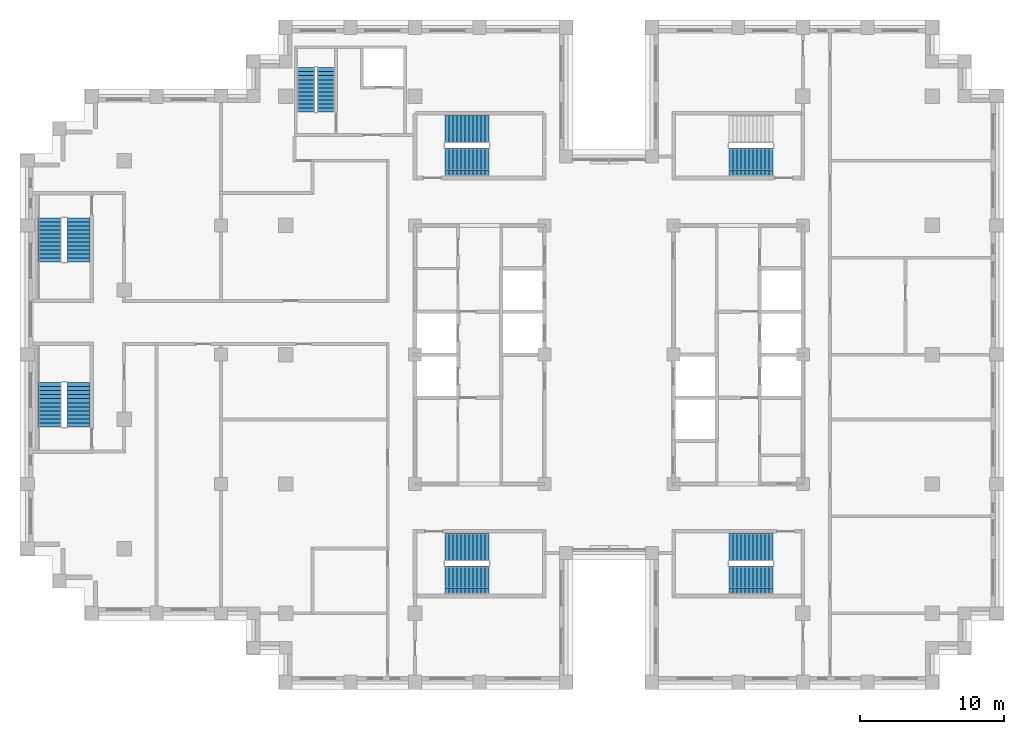
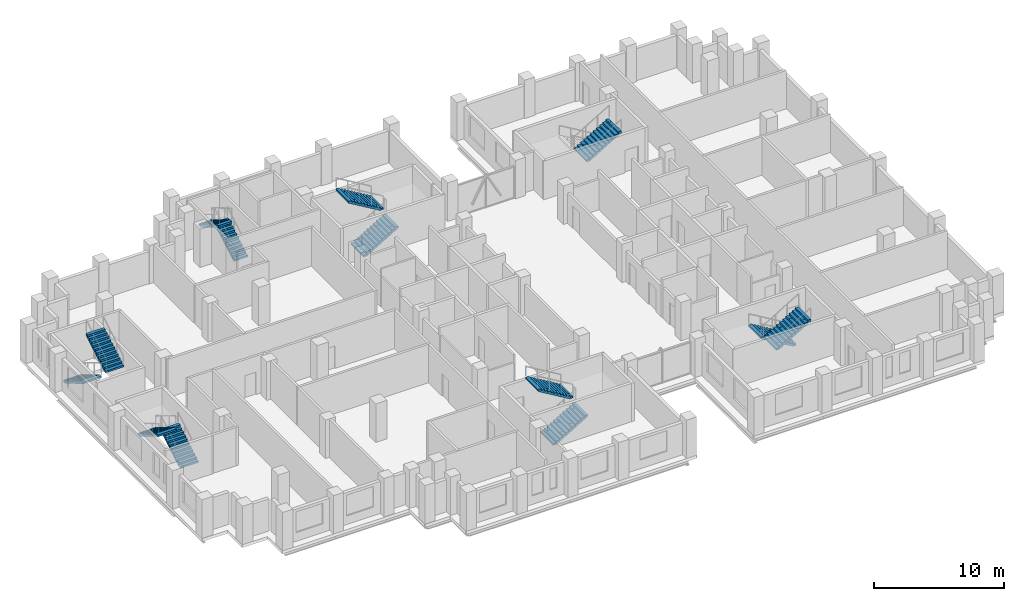
# One storey, part 12 of 15: 13 stair flights, 7 elements without a shape of their own.
"""IFC4 building model written with IfcOpenShell, lengths in metres."""

from ifc_helpers import new_model, si_unit, direction, frame, origin, place, context, subcontext, project, spatial, polyline, outline, extrude, material, type_object, element, aggregate, save


model = new_model("IFC4")

# Units and contexts
model_context = context("Model", 3, precision=1e-05, world=origin(), true_north=direction((0.0, 1.0)))
body_context = subcontext(model_context, "Body", "Model", "MODEL_VIEW")
ifc_project = project(units=[si_unit("LENGTHUNIT", "METRE"), si_unit("AREAUNIT", "SQUARE_METRE"), si_unit("VOLUMEUNIT", "CUBIC_METRE"), si_unit("PLANEANGLEUNIT", "RADIAN"), si_unit("MASSUNIT", "GRAM", prefix="KILO")], contexts=[model_context])

# Site, building, storey
site_placement = place(None, origin())
site = spatial("IfcSite", under=ifc_project, at=site_placement, CompositionType="ELEMENT")
building_placement = place(site_placement, origin())
building = spatial("IfcBuilding", under=site, at=building_placement, Name="Corbelhall Arena Tower", CompositionType="ELEMENT")
storey_placement = place(building_placement, frame((0.0, 0.0, 232.0)))
storey = spatial("IfcBuildingStorey", under=building, at=storey_placement, Name="L49", CompositionType="ELEMENT", Elevation=232.0)

# Stair, stair flights
ifc_material = material(Name="Concrete C40/50", Category="concrete")
stair_type = type_object("IfcStairType", Name="IN-ST-TOWER", PredefinedType="HALF_TURN_STAIR", material=ifc_material)
stair_1_placement = place(storey_placement, origin())
stair_1 = element("IfcStair", 1, at=stair_1_placement, inside=storey, type_object=stair_type, Name="L49 Exit stair ST1", PredefinedType="HALF_TURN_STAIR")
stair_flight_type = type_object("IfcStairFlightType", Name="IN-SFL-RC", PredefinedType="STRAIGHT", material=ifc_material)
stair_flight_1_placement = place(storey_placement, frame((-11.425048828125, 13.39990234375, 0.0), z_axis=(0.0, 0.0, 1.0), x_axis=(1.0, 0.0, 0.0)))
stair_flight_1 = element("IfcStairFlight", 2, at=stair_flight_1_placement, type_object=stair_flight_type, Name="ST1 flight 1", NumberOfRisers=12, NumberOfTreads=11, PredefinedType="STRAIGHT", RiserHeight=0.166666667, TreadLength=0.28, context=body_context, shape_type="SweptSolid", body=[
    extrude(outline(polyline([(0.0, 0.0), (0.0, 0.166748046875), (0.280029296875, 0.166748046875), (0.280029296875, 0.333251953125), (0.56005859375, 0.333251953125), (0.56005859375, 0.5), (0.840087890625, 0.5), (0.840087890625, 0.666748046875), (1.1201171875, 0.666748046875), (1.1201171875, 0.833251953125), (1.39990234375, 0.833251953125), (1.39990234375, 1.0), (1.679931640625, 1.0), (1.679931640625, 1.166748046875), (1.9599609375, 1.166748046875), (1.9599609375, 1.333251953125), (2.239990234375, 1.333251953125), (2.239990234375, 1.5), (2.52001953125, 1.5), (2.52001953125, 1.666748046875), (2.800048828125, 1.666748046875), (2.800048828125, 1.833251953125), (3.080078125, 1.833251953125), (3.080078125, 2.0), (3.080078125, 1.658935546875), (0.29296875, 0.0), (0.0, 0.0)])), frame((0.0, 0.97509765625, 0.0), z_axis=(0.0, -1.0, 0.0), x_axis=(1.0, 0.0, 0.0)), (0.0, 0.0, 1.0), 0.449951171875),
    extrude(outline(polyline([(0.0, 0.0), (0.0, 0.166748046875), (0.280029296875, 0.166748046875), (0.280029296875, 0.333251953125), (0.56005859375, 0.333251953125), (0.56005859375, 0.5), (0.840087890625, 0.5), (0.840087890625, 0.666748046875), (1.1201171875, 0.666748046875), (1.1201171875, 0.833251953125), (1.39990234375, 0.833251953125), (1.39990234375, 1.0), (1.679931640625, 1.0), (1.679931640625, 1.166748046875), (1.9599609375, 1.166748046875), (1.9599609375, 1.333251953125), (2.239990234375, 1.333251953125), (2.239990234375, 1.5), (2.52001953125, 1.5), (2.52001953125, 1.666748046875), (2.800048828125, 1.666748046875), (2.800048828125, 1.833251953125), (3.080078125, 1.833251953125), (3.080078125, 2.0), (3.080078125, 1.658935546875), (0.29296875, 0.0), (0.0, 0.0)])), frame((0.0, 0.52099609375, 0.0), z_axis=(0.0, -1.0, 0.0), x_axis=(1.0, 0.0, 0.0)), (0.0, 0.0, 1.0), 1.0419921875),
    extrude(outline(polyline([(0.0, 0.0), (0.0, 0.166748046875), (0.280029296875, 0.166748046875), (0.280029296875, 0.333251953125), (0.56005859375, 0.333251953125), (0.56005859375, 0.5), (0.840087890625, 0.5), (0.840087890625, 0.666748046875), (1.1201171875, 0.666748046875), (1.1201171875, 0.833251953125), (1.39990234375, 0.833251953125), (1.39990234375, 1.0), (1.679931640625, 1.0), (1.679931640625, 1.166748046875), (1.9599609375, 1.166748046875), (1.9599609375, 1.333251953125), (2.239990234375, 1.333251953125), (2.239990234375, 1.5), (2.52001953125, 1.5), (2.52001953125, 1.666748046875), (2.800048828125, 1.666748046875), (2.800048828125, 1.833251953125), (3.080078125, 1.833251953125), (3.080078125, 2.0), (3.080078125, 1.658935546875), (0.29296875, 0.0), (0.0, 0.0)])), frame((0.0, -0.52490234375, 0.0), z_axis=(0.0, -1.0, 0.0), x_axis=(1.0, 0.0, 0.0)), (0.0, 0.0, 1.0), 0.449951171875),
])
stair_flight_2_placement = place(storey_placement, frame((-8.344970703125, 15.699951171875, 2.0), z_axis=(0.0, 0.0, 1.0), x_axis=(-1.0, 0.0, 0.0)))
stair_flight_2 = element("IfcStairFlight", 3, at=stair_flight_2_placement, type_object=stair_flight_type, Name="ST1 flight 2", NumberOfRisers=12, NumberOfTreads=11, PredefinedType="STRAIGHT", RiserHeight=0.166666667, TreadLength=0.28, context=body_context, shape_type="SweptSolid", body=[
    extrude(outline(polyline([(0.0, 0.0), (0.0, 0.166748046875), (0.280029296875, 0.166748046875), (0.280029296875, 0.333251953125), (0.56005859375, 0.333251953125), (0.56005859375, 0.5), (0.840087890625, 0.5), (0.840087890625, 0.666748046875), (1.1201171875, 0.666748046875), (1.1201171875, 0.833251953125), (1.39990234375, 0.833251953125), (1.39990234375, 1.0), (1.679931640625, 1.0), (1.679931640625, 1.166748046875), (1.9599609375, 1.166748046875), (1.9599609375, 1.333251953125), (2.239990234375, 1.333251953125), (2.239990234375, 1.5), (2.52001953125, 1.5), (2.52001953125, 1.666748046875), (2.800048828125, 1.666748046875), (2.800048828125, 1.833251953125), (3.080078125, 1.833251953125), (3.080078125, 2.0), (3.080078125, 1.658935546875), (0.29296875, 0.0), (0.0, 0.0)])), frame((0.0, 0.97509765625, 0.0), z_axis=(0.0, -1.0, 0.0), x_axis=(1.0, 0.0, 0.0)), (0.0, 0.0, 1.0), 0.449951171875),
    extrude(outline(polyline([(0.0, 0.0), (0.0, 0.166748046875), (0.280029296875, 0.166748046875), (0.280029296875, 0.333251953125), (0.56005859375, 0.333251953125), (0.56005859375, 0.5), (0.840087890625, 0.5), (0.840087890625, 0.666748046875), (1.1201171875, 0.666748046875), (1.1201171875, 0.833251953125), (1.39990234375, 0.833251953125), (1.39990234375, 1.0), (1.679931640625, 1.0), (1.679931640625, 1.166748046875), (1.9599609375, 1.166748046875), (1.9599609375, 1.333251953125), (2.239990234375, 1.333251953125), (2.239990234375, 1.5), (2.52001953125, 1.5), (2.52001953125, 1.666748046875), (2.800048828125, 1.666748046875), (2.800048828125, 1.833251953125), (3.080078125, 1.833251953125), (3.080078125, 2.0), (3.080078125, 1.658935546875), (0.29296875, 0.0), (0.0, 0.0)])), frame((0.0, 0.52099609375, 0.0), z_axis=(0.0, -1.0, 0.0), x_axis=(1.0, 0.0, 0.0)), (0.0, 0.0, 1.0), 1.0419921875),
    extrude(outline(polyline([(0.0, 0.0), (0.0, 0.166748046875), (0.280029296875, 0.166748046875), (0.280029296875, 0.333251953125), (0.56005859375, 0.333251953125), (0.56005859375, 0.5), (0.840087890625, 0.5), (0.840087890625, 0.666748046875), (1.1201171875, 0.666748046875), (1.1201171875, 0.833251953125), (1.39990234375, 0.833251953125), (1.39990234375, 1.0), (1.679931640625, 1.0), (1.679931640625, 1.166748046875), (1.9599609375, 1.166748046875), (1.9599609375, 1.333251953125), (2.239990234375, 1.333251953125), (2.239990234375, 1.5), (2.52001953125, 1.5), (2.52001953125, 1.666748046875), (2.800048828125, 1.666748046875), (2.800048828125, 1.833251953125), (3.080078125, 1.833251953125), (3.080078125, 2.0), (3.080078125, 1.658935546875), (0.29296875, 0.0), (0.0, 0.0)])), frame((0.0, -0.52490234375, 0.0), z_axis=(0.0, -1.0, 0.0), x_axis=(1.0, 0.0, 0.0)), (0.0, 0.0, 1.0), 0.449951171875),
])
aggregate(stair_1, [stair_flight_1, stair_flight_2])

stair_2_placement = place(storey_placement, origin())
stair_2 = element("IfcStair", 4, at=stair_2_placement, inside=storey, type_object=stair_type, Name="L49 Exit stair ST2", PredefinedType="HALF_TURN_STAIR")
stair_flight_3_placement = place(storey_placement, frame((-11.425048828125, -15.699951171875, 0.0), z_axis=(0.0, 0.0, 1.0), x_axis=(1.0, 0.0, 0.0)))
stair_flight_3 = element("IfcStairFlight", 5, at=stair_flight_3_placement, type_object=stair_flight_type, Name="ST2 flight 1", NumberOfRisers=12, NumberOfTreads=11, PredefinedType="STRAIGHT", RiserHeight=0.166666667, TreadLength=0.28, context=body_context, shape_type="SweptSolid", body=[
    extrude(outline(polyline([(0.0, 0.0), (0.0, 0.166748046875), (0.280029296875, 0.166748046875), (0.280029296875, 0.333251953125), (0.56005859375, 0.333251953125), (0.56005859375, 0.5), (0.840087890625, 0.5), (0.840087890625, 0.666748046875), (1.1201171875, 0.666748046875), (1.1201171875, 0.833251953125), (1.39990234375, 0.833251953125), (1.39990234375, 1.0), (1.679931640625, 1.0), (1.679931640625, 1.166748046875), (1.9599609375, 1.166748046875), (1.9599609375, 1.333251953125), (2.239990234375, 1.333251953125), (2.239990234375, 1.5), (2.52001953125, 1.5), (2.52001953125, 1.666748046875), (2.800048828125, 1.666748046875), (2.800048828125, 1.833251953125), (3.080078125, 1.833251953125), (3.080078125, 2.0), (3.080078125, 1.658935546875), (0.29296875, 0.0), (0.0, 0.0)])), frame((0.0, 0.97509765625, 0.0), z_axis=(0.0, -1.0, 0.0), x_axis=(1.0, 0.0, 0.0)), (0.0, 0.0, 1.0), 0.449951171875),
    extrude(outline(polyline([(0.0, 0.0), (0.0, 0.166748046875), (0.280029296875, 0.166748046875), (0.280029296875, 0.333251953125), (0.56005859375, 0.333251953125), (0.56005859375, 0.5), (0.840087890625, 0.5), (0.840087890625, 0.666748046875), (1.1201171875, 0.666748046875), (1.1201171875, 0.833251953125), (1.39990234375, 0.833251953125), (1.39990234375, 1.0), (1.679931640625, 1.0), (1.679931640625, 1.166748046875), (1.9599609375, 1.166748046875), (1.9599609375, 1.333251953125), (2.239990234375, 1.333251953125), (2.239990234375, 1.5), (2.52001953125, 1.5), (2.52001953125, 1.666748046875), (2.800048828125, 1.666748046875), (2.800048828125, 1.833251953125), (3.080078125, 1.833251953125), (3.080078125, 2.0), (3.080078125, 1.658935546875), (0.29296875, 0.0), (0.0, 0.0)])), frame((0.0, 0.52099609375, 0.0), z_axis=(0.0, -1.0, 0.0), x_axis=(1.0, 0.0, 0.0)), (0.0, 0.0, 1.0), 1.0419921875),
    extrude(outline(polyline([(0.0, 0.0), (0.0, 0.166748046875), (0.280029296875, 0.166748046875), (0.280029296875, 0.333251953125), (0.56005859375, 0.333251953125), (0.56005859375, 0.5), (0.840087890625, 0.5), (0.840087890625, 0.666748046875), (1.1201171875, 0.666748046875), (1.1201171875, 0.833251953125), (1.39990234375, 0.833251953125), (1.39990234375, 1.0), (1.679931640625, 1.0), (1.679931640625, 1.166748046875), (1.9599609375, 1.166748046875), (1.9599609375, 1.333251953125), (2.239990234375, 1.333251953125), (2.239990234375, 1.5), (2.52001953125, 1.5), (2.52001953125, 1.666748046875), (2.800048828125, 1.666748046875), (2.800048828125, 1.833251953125), (3.080078125, 1.833251953125), (3.080078125, 2.0), (3.080078125, 1.658935546875), (0.29296875, 0.0), (0.0, 0.0)])), frame((0.0, -0.52490234375, 0.0), z_axis=(0.0, -1.0, 0.0), x_axis=(1.0, 0.0, 0.0)), (0.0, 0.0, 1.0), 0.449951171875),
])
stair_flight_4_placement = place(storey_placement, frame((-8.344970703125, -13.39990234375, 2.0), z_axis=(0.0, 0.0, 1.0), x_axis=(-1.0, 0.0, 0.0)))
stair_flight_4 = element("IfcStairFlight", 6, at=stair_flight_4_placement, type_object=stair_flight_type, Name="ST2 flight 2", NumberOfRisers=12, NumberOfTreads=11, PredefinedType="STRAIGHT", RiserHeight=0.166666667, TreadLength=0.28, context=body_context, shape_type="SweptSolid", body=[
    extrude(outline(polyline([(0.0, 0.0), (0.0, 0.166748046875), (0.280029296875, 0.166748046875), (0.280029296875, 0.333251953125), (0.56005859375, 0.333251953125), (0.56005859375, 0.5), (0.840087890625, 0.5), (0.840087890625, 0.666748046875), (1.1201171875, 0.666748046875), (1.1201171875, 0.833251953125), (1.39990234375, 0.833251953125), (1.39990234375, 1.0), (1.679931640625, 1.0), (1.679931640625, 1.166748046875), (1.9599609375, 1.166748046875), (1.9599609375, 1.333251953125), (2.239990234375, 1.333251953125), (2.239990234375, 1.5), (2.52001953125, 1.5), (2.52001953125, 1.666748046875), (2.800048828125, 1.666748046875), (2.800048828125, 1.833251953125), (3.080078125, 1.833251953125), (3.080078125, 2.0), (3.080078125, 1.658935546875), (0.29296875, 0.0), (0.0, 0.0)])), frame((0.0, 0.97509765625, 0.0), z_axis=(0.0, -1.0, 0.0), x_axis=(1.0, 0.0, 0.0)), (0.0, 0.0, 1.0), 0.449951171875),
    extrude(outline(polyline([(0.0, 0.0), (0.0, 0.166748046875), (0.280029296875, 0.166748046875), (0.280029296875, 0.333251953125), (0.56005859375, 0.333251953125), (0.56005859375, 0.5), (0.840087890625, 0.5), (0.840087890625, 0.666748046875), (1.1201171875, 0.666748046875), (1.1201171875, 0.833251953125), (1.39990234375, 0.833251953125), (1.39990234375, 1.0), (1.679931640625, 1.0), (1.679931640625, 1.166748046875), (1.9599609375, 1.166748046875), (1.9599609375, 1.333251953125), (2.239990234375, 1.333251953125), (2.239990234375, 1.5), (2.52001953125, 1.5), (2.52001953125, 1.666748046875), (2.800048828125, 1.666748046875), (2.800048828125, 1.833251953125), (3.080078125, 1.833251953125), (3.080078125, 2.0), (3.080078125, 1.658935546875), (0.29296875, 0.0), (0.0, 0.0)])), frame((0.0, 0.52099609375, 0.0), z_axis=(0.0, -1.0, 0.0), x_axis=(1.0, 0.0, 0.0)), (0.0, 0.0, 1.0), 1.0419921875),
    extrude(outline(polyline([(0.0, 0.0), (0.0, 0.166748046875), (0.280029296875, 0.166748046875), (0.280029296875, 0.333251953125), (0.56005859375, 0.333251953125), (0.56005859375, 0.5), (0.840087890625, 0.5), (0.840087890625, 0.666748046875), (1.1201171875, 0.666748046875), (1.1201171875, 0.833251953125), (1.39990234375, 0.833251953125), (1.39990234375, 1.0), (1.679931640625, 1.0), (1.679931640625, 1.166748046875), (1.9599609375, 1.166748046875), (1.9599609375, 1.333251953125), (2.239990234375, 1.333251953125), (2.239990234375, 1.5), (2.52001953125, 1.5), (2.52001953125, 1.666748046875), (2.800048828125, 1.666748046875), (2.800048828125, 1.833251953125), (3.080078125, 1.833251953125), (3.080078125, 2.0), (3.080078125, 1.658935546875), (0.29296875, 0.0), (0.0, 0.0)])), frame((0.0, -0.52490234375, 0.0), z_axis=(0.0, -1.0, 0.0), x_axis=(1.0, 0.0, 0.0)), (0.0, 0.0, 1.0), 0.449951171875),
])
aggregate(stair_2, [stair_flight_3, stair_flight_4])

# Stair, stair flight
stair_3_placement = place(storey_placement, origin())
stair_3 = element("IfcStair", 7, at=stair_3_placement, inside=storey, type_object=stair_type, Name="L49 Exit stair ST3", PredefinedType="HALF_TURN_STAIR")
stair_flight_5_placement = place(storey_placement, frame((8.344970703125, 13.39990234375, 2.0), z_axis=(0.0, 0.0, 1.0), x_axis=(1.0, 0.0, 0.0)))
stair_flight_5 = element("IfcStairFlight", 8, at=stair_flight_5_placement, type_object=stair_flight_type, Name="ST3 flight 2", NumberOfRisers=12, NumberOfTreads=11, PredefinedType="STRAIGHT", RiserHeight=0.166666667, TreadLength=0.28, context=body_context, shape_type="SweptSolid", body=[
    extrude(outline(polyline([(0.0, 0.0), (0.0, 0.166748046875), (0.280029296875, 0.166748046875), (0.280029296875, 0.333251953125), (0.56005859375, 0.333251953125), (0.56005859375, 0.5), (0.840087890625, 0.5), (0.840087890625, 0.666748046875), (1.1201171875, 0.666748046875), (1.1201171875, 0.833251953125), (1.39990234375, 0.833251953125), (1.39990234375, 1.0), (1.679931640625, 1.0), (1.679931640625, 1.166748046875), (1.9599609375, 1.166748046875), (1.9599609375, 1.333251953125), (2.239990234375, 1.333251953125), (2.239990234375, 1.5), (2.52001953125, 1.5), (2.52001953125, 1.666748046875), (2.800048828125, 1.666748046875), (2.800048828125, 1.833251953125), (3.080078125, 1.833251953125), (3.080078125, 2.0), (3.080078125, 1.658935546875), (0.29296875, 0.0), (0.0, 0.0)])), frame((0.0, 0.97509765625, 0.0), z_axis=(0.0, -1.0, 0.0), x_axis=(1.0, 0.0, 0.0)), (0.0, 0.0, 1.0), 0.449951171875),
    extrude(outline(polyline([(0.0, 0.0), (0.0, 0.166748046875), (0.280029296875, 0.166748046875), (0.280029296875, 0.333251953125), (0.56005859375, 0.333251953125), (0.56005859375, 0.5), (0.840087890625, 0.5), (0.840087890625, 0.666748046875), (1.1201171875, 0.666748046875), (1.1201171875, 0.833251953125), (1.39990234375, 0.833251953125), (1.39990234375, 1.0), (1.679931640625, 1.0), (1.679931640625, 1.166748046875), (1.9599609375, 1.166748046875), (1.9599609375, 1.333251953125), (2.239990234375, 1.333251953125), (2.239990234375, 1.5), (2.52001953125, 1.5), (2.52001953125, 1.666748046875), (2.800048828125, 1.666748046875), (2.800048828125, 1.833251953125), (3.080078125, 1.833251953125), (3.080078125, 2.0), (3.080078125, 1.658935546875), (0.29296875, 0.0), (0.0, 0.0)])), frame((0.0, 0.52099609375, 0.0), z_axis=(0.0, -1.0, 0.0), x_axis=(1.0, 0.0, 0.0)), (0.0, 0.0, 1.0), 1.0419921875),
    extrude(outline(polyline([(0.0, 0.0), (0.0, 0.166748046875), (0.280029296875, 0.166748046875), (0.280029296875, 0.333251953125), (0.56005859375, 0.333251953125), (0.56005859375, 0.5), (0.840087890625, 0.5), (0.840087890625, 0.666748046875), (1.1201171875, 0.666748046875), (1.1201171875, 0.833251953125), (1.39990234375, 0.833251953125), (1.39990234375, 1.0), (1.679931640625, 1.0), (1.679931640625, 1.166748046875), (1.9599609375, 1.166748046875), (1.9599609375, 1.333251953125), (2.239990234375, 1.333251953125), (2.239990234375, 1.5), (2.52001953125, 1.5), (2.52001953125, 1.666748046875), (2.800048828125, 1.666748046875), (2.800048828125, 1.833251953125), (3.080078125, 1.833251953125), (3.080078125, 2.0), (3.080078125, 1.658935546875), (0.29296875, 0.0), (0.0, 0.0)])), frame((0.0, -0.52490234375, 0.0), z_axis=(0.0, -1.0, 0.0), x_axis=(1.0, 0.0, 0.0)), (0.0, 0.0, 1.0), 0.449951171875),
])
aggregate(stair_3, [stair_flight_5])

# Stair, stair flights
stair_4_placement = place(storey_placement, origin())
stair_4 = element("IfcStair", 9, at=stair_4_placement, inside=storey, type_object=stair_type, Name="L49 Exit stair ST4", PredefinedType="HALF_TURN_STAIR")
stair_flight_6_placement = place(storey_placement, frame((11.425048828125, -13.39990234375, 0.0), z_axis=(0.0, 0.0, 1.0), x_axis=(-1.0, 0.0, 0.0)))
stair_flight_6 = element("IfcStairFlight", 10, at=stair_flight_6_placement, type_object=stair_flight_type, Name="ST4 flight 1", NumberOfRisers=12, NumberOfTreads=11, PredefinedType="STRAIGHT", RiserHeight=0.166666667, TreadLength=0.28, context=body_context, shape_type="SweptSolid", body=[
    extrude(outline(polyline([(0.0, 0.0), (0.0, 0.166748046875), (0.280029296875, 0.166748046875), (0.280029296875, 0.333251953125), (0.56005859375, 0.333251953125), (0.56005859375, 0.5), (0.840087890625, 0.5), (0.840087890625, 0.666748046875), (1.1201171875, 0.666748046875), (1.1201171875, 0.833251953125), (1.39990234375, 0.833251953125), (1.39990234375, 1.0), (1.679931640625, 1.0), (1.679931640625, 1.166748046875), (1.9599609375, 1.166748046875), (1.9599609375, 1.333251953125), (2.239990234375, 1.333251953125), (2.239990234375, 1.5), (2.52001953125, 1.5), (2.52001953125, 1.666748046875), (2.800048828125, 1.666748046875), (2.800048828125, 1.833251953125), (3.080078125, 1.833251953125), (3.080078125, 2.0), (3.080078125, 1.658935546875), (0.29296875, 0.0), (0.0, 0.0)])), frame((0.0, 0.97509765625, 0.0), z_axis=(0.0, -1.0, 0.0), x_axis=(1.0, 0.0, 0.0)), (0.0, 0.0, 1.0), 0.449951171875),
    extrude(outline(polyline([(0.0, 0.0), (0.0, 0.166748046875), (0.280029296875, 0.166748046875), (0.280029296875, 0.333251953125), (0.56005859375, 0.333251953125), (0.56005859375, 0.5), (0.840087890625, 0.5), (0.840087890625, 0.666748046875), (1.1201171875, 0.666748046875), (1.1201171875, 0.833251953125), (1.39990234375, 0.833251953125), (1.39990234375, 1.0), (1.679931640625, 1.0), (1.679931640625, 1.166748046875), (1.9599609375, 1.166748046875), (1.9599609375, 1.333251953125), (2.239990234375, 1.333251953125), (2.239990234375, 1.5), (2.52001953125, 1.5), (2.52001953125, 1.666748046875), (2.800048828125, 1.666748046875), (2.800048828125, 1.833251953125), (3.080078125, 1.833251953125), (3.080078125, 2.0), (3.080078125, 1.658935546875), (0.29296875, 0.0), (0.0, 0.0)])), frame((0.0, 0.52099609375, 0.0), z_axis=(0.0, -1.0, 0.0), x_axis=(1.0, 0.0, 0.0)), (0.0, 0.0, 1.0), 1.0419921875),
    extrude(outline(polyline([(0.0, 0.0), (0.0, 0.166748046875), (0.280029296875, 0.166748046875), (0.280029296875, 0.333251953125), (0.56005859375, 0.333251953125), (0.56005859375, 0.5), (0.840087890625, 0.5), (0.840087890625, 0.666748046875), (1.1201171875, 0.666748046875), (1.1201171875, 0.833251953125), (1.39990234375, 0.833251953125), (1.39990234375, 1.0), (1.679931640625, 1.0), (1.679931640625, 1.166748046875), (1.9599609375, 1.166748046875), (1.9599609375, 1.333251953125), (2.239990234375, 1.333251953125), (2.239990234375, 1.5), (2.52001953125, 1.5), (2.52001953125, 1.666748046875), (2.800048828125, 1.666748046875), (2.800048828125, 1.833251953125), (3.080078125, 1.833251953125), (3.080078125, 2.0), (3.080078125, 1.658935546875), (0.29296875, 0.0), (0.0, 0.0)])), frame((0.0, -0.52490234375, 0.0), z_axis=(0.0, -1.0, 0.0), x_axis=(1.0, 0.0, 0.0)), (0.0, 0.0, 1.0), 0.449951171875),
])
stair_flight_7_placement = place(storey_placement, frame((8.344970703125, -15.699951171875, 2.0), z_axis=(0.0, 0.0, 1.0), x_axis=(1.0, 0.0, 0.0)))
stair_flight_7 = element("IfcStairFlight", 11, at=stair_flight_7_placement, type_object=stair_flight_type, Name="ST4 flight 2", NumberOfRisers=12, NumberOfTreads=11, PredefinedType="STRAIGHT", RiserHeight=0.166666667, TreadLength=0.28, context=body_context, shape_type="SweptSolid", body=[
    extrude(outline(polyline([(0.0, 0.0), (0.0, 0.166748046875), (0.280029296875, 0.166748046875), (0.280029296875, 0.333251953125), (0.56005859375, 0.333251953125), (0.56005859375, 0.5), (0.840087890625, 0.5), (0.840087890625, 0.666748046875), (1.1201171875, 0.666748046875), (1.1201171875, 0.833251953125), (1.39990234375, 0.833251953125), (1.39990234375, 1.0), (1.679931640625, 1.0), (1.679931640625, 1.166748046875), (1.9599609375, 1.166748046875), (1.9599609375, 1.333251953125), (2.239990234375, 1.333251953125), (2.239990234375, 1.5), (2.52001953125, 1.5), (2.52001953125, 1.666748046875), (2.800048828125, 1.666748046875), (2.800048828125, 1.833251953125), (3.080078125, 1.833251953125), (3.080078125, 2.0), (3.080078125, 1.658935546875), (0.29296875, 0.0), (0.0, 0.0)])), frame((0.0, 0.97509765625, 0.0), z_axis=(0.0, -1.0, 0.0), x_axis=(1.0, 0.0, 0.0)), (0.0, 0.0, 1.0), 0.449951171875),
    extrude(outline(polyline([(0.0, 0.0), (0.0, 0.166748046875), (0.280029296875, 0.166748046875), (0.280029296875, 0.333251953125), (0.56005859375, 0.333251953125), (0.56005859375, 0.5), (0.840087890625, 0.5), (0.840087890625, 0.666748046875), (1.1201171875, 0.666748046875), (1.1201171875, 0.833251953125), (1.39990234375, 0.833251953125), (1.39990234375, 1.0), (1.679931640625, 1.0), (1.679931640625, 1.166748046875), (1.9599609375, 1.166748046875), (1.9599609375, 1.333251953125), (2.239990234375, 1.333251953125), (2.239990234375, 1.5), (2.52001953125, 1.5), (2.52001953125, 1.666748046875), (2.800048828125, 1.666748046875), (2.800048828125, 1.833251953125), (3.080078125, 1.833251953125), (3.080078125, 2.0), (3.080078125, 1.658935546875), (0.29296875, 0.0), (0.0, 0.0)])), frame((0.0, 0.52099609375, 0.0), z_axis=(0.0, -1.0, 0.0), x_axis=(1.0, 0.0, 0.0)), (0.0, 0.0, 1.0), 1.0419921875),
    extrude(outline(polyline([(0.0, 0.0), (0.0, 0.166748046875), (0.280029296875, 0.166748046875), (0.280029296875, 0.333251953125), (0.56005859375, 0.333251953125), (0.56005859375, 0.5), (0.840087890625, 0.5), (0.840087890625, 0.666748046875), (1.1201171875, 0.666748046875), (1.1201171875, 0.833251953125), (1.39990234375, 0.833251953125), (1.39990234375, 1.0), (1.679931640625, 1.0), (1.679931640625, 1.166748046875), (1.9599609375, 1.166748046875), (1.9599609375, 1.333251953125), (2.239990234375, 1.333251953125), (2.239990234375, 1.5), (2.52001953125, 1.5), (2.52001953125, 1.666748046875), (2.800048828125, 1.666748046875), (2.800048828125, 1.833251953125), (3.080078125, 1.833251953125), (3.080078125, 2.0), (3.080078125, 1.658935546875), (0.29296875, 0.0), (0.0, 0.0)])), frame((0.0, -0.52490234375, 0.0), z_axis=(0.0, -1.0, 0.0), x_axis=(1.0, 0.0, 0.0)), (0.0, 0.0, 1.0), 0.449951171875),
])
aggregate(stair_4, [stair_flight_6, stair_flight_7])

stair_5_placement = place(storey_placement, origin())
stair_5 = element("IfcStair", 12, at=stair_5_placement, inside=storey, type_object=stair_type, Name="L49 Exit stair SC1", PredefinedType="HALF_TURN_STAIR")
stair_flight_8_placement = place(storey_placement, frame((-38.89990234375, 9.52490234375, 0.0), z_axis=(0.0, 0.0, 1.0), x_axis=(0.0, -1.0, 0.0)))
stair_flight_8 = element("IfcStairFlight", 13, at=stair_flight_8_placement, type_object=stair_flight_type, Name="SC1 flight 1", NumberOfRisers=12, NumberOfTreads=11, PredefinedType="STRAIGHT", RiserHeight=0.166666667, TreadLength=0.28, context=body_context, shape_type="SweptSolid", body=[
    extrude(outline(polyline([(0.0, 0.0), (0.0, 0.166748046875), (0.280029296875, 0.166748046875), (0.280029296875, 0.333251953125), (0.56005859375, 0.333251953125), (0.56005859375, 0.5), (0.840087890625, 0.5), (0.840087890625, 0.666748046875), (1.1201171875, 0.666748046875), (1.1201171875, 0.833251953125), (1.39990234375, 0.833251953125), (1.39990234375, 1.0), (1.679931640625, 1.0), (1.679931640625, 1.166748046875), (1.9599609375, 1.166748046875), (1.9599609375, 1.333251953125), (2.239990234375, 1.333251953125), (2.239990234375, 1.5), (2.52001953125, 1.5), (2.52001953125, 1.666748046875), (2.800048828125, 1.666748046875), (2.800048828125, 1.833251953125), (3.080078125, 1.833251953125), (3.080078125, 2.0), (3.080078125, 1.658935546875), (0.29296875, 0.0), (0.0, 0.0)])), frame((0.0, 0.800048828125, 0.0), z_axis=(0.0, -1.0, 0.0), x_axis=(1.0, 0.0, 0.0)), (0.0, 0.0, 1.0), 1.60009765625),
])
stair_flight_9_placement = place(storey_placement, frame((-36.925048828125, 6.445068359375, 2.0), z_axis=(0.0, 0.0, 1.0), x_axis=(0.0, 1.0, 0.0)))
stair_flight_9 = element("IfcStairFlight", 14, at=stair_flight_9_placement, type_object=stair_flight_type, Name="SC1 flight 2", NumberOfRisers=12, NumberOfTreads=11, PredefinedType="STRAIGHT", RiserHeight=0.166666667, TreadLength=0.28, context=body_context, shape_type="SweptSolid", body=[
    extrude(outline(polyline([(0.0, 0.0), (0.0, 0.166748046875), (0.280029296875, 0.166748046875), (0.280029296875, 0.333251953125), (0.56005859375, 0.333251953125), (0.56005859375, 0.5), (0.840087890625, 0.5), (0.840087890625, 0.666748046875), (1.1201171875, 0.666748046875), (1.1201171875, 0.833251953125), (1.39990234375, 0.833251953125), (1.39990234375, 1.0), (1.679931640625, 1.0), (1.679931640625, 1.166748046875), (1.9599609375, 1.166748046875), (1.9599609375, 1.333251953125), (2.239990234375, 1.333251953125), (2.239990234375, 1.5), (2.52001953125, 1.5), (2.52001953125, 1.666748046875), (2.800048828125, 1.666748046875), (2.800048828125, 1.833251953125), (3.080078125, 1.833251953125), (3.080078125, 2.0), (3.080078125, 1.658935546875), (0.29296875, 0.0), (0.0, 0.0)])), frame((0.0, 0.800048828125, 0.0), z_axis=(0.0, -1.0, 0.0), x_axis=(1.0, 0.0, 0.0)), (0.0, 0.0, 1.0), 1.60009765625),
])
aggregate(stair_5, [stair_flight_8, stair_flight_9])

stair_6_placement = place(storey_placement, origin())
stair_6 = element("IfcStair", 15, at=stair_6_placement, inside=storey, type_object=stair_type, Name="L49 Exit stair SC2", PredefinedType="HALF_TURN_STAIR")
stair_flight_10_placement = place(storey_placement, frame((-36.925048828125, -5.02490234375, 0.0), z_axis=(0.0, 0.0, 1.0), x_axis=(0.0, 1.0, 0.0)))
stair_flight_10 = element("IfcStairFlight", 16, at=stair_flight_10_placement, type_object=stair_flight_type, Name="SC2 flight 1", NumberOfRisers=12, NumberOfTreads=11, PredefinedType="STRAIGHT", RiserHeight=0.166666667, TreadLength=0.28, context=body_context, shape_type="SweptSolid", body=[
    extrude(outline(polyline([(0.0, 0.0), (0.0, 0.166748046875), (0.280029296875, 0.166748046875), (0.280029296875, 0.333251953125), (0.56005859375, 0.333251953125), (0.56005859375, 0.5), (0.840087890625, 0.5), (0.840087890625, 0.666748046875), (1.1201171875, 0.666748046875), (1.1201171875, 0.833251953125), (1.39990234375, 0.833251953125), (1.39990234375, 1.0), (1.679931640625, 1.0), (1.679931640625, 1.166748046875), (1.9599609375, 1.166748046875), (1.9599609375, 1.333251953125), (2.239990234375, 1.333251953125), (2.239990234375, 1.5), (2.52001953125, 1.5), (2.52001953125, 1.666748046875), (2.800048828125, 1.666748046875), (2.800048828125, 1.833251953125), (3.080078125, 1.833251953125), (3.080078125, 2.0), (3.080078125, 1.658935546875), (0.29296875, 0.0), (0.0, 0.0)])), frame((0.0, 0.800048828125, 0.0), z_axis=(0.0, -1.0, 0.0), x_axis=(1.0, 0.0, 0.0)), (0.0, 0.0, 1.0), 1.60009765625),
])
stair_flight_11_placement = place(storey_placement, frame((-38.89990234375, -1.945068359375, 2.0), z_axis=(0.0, 0.0, 1.0), x_axis=(0.0, -1.0, 0.0)))
stair_flight_11 = element("IfcStairFlight", 17, at=stair_flight_11_placement, type_object=stair_flight_type, Name="SC2 flight 2", NumberOfRisers=12, NumberOfTreads=11, PredefinedType="STRAIGHT", RiserHeight=0.166666667, TreadLength=0.28, context=body_context, shape_type="SweptSolid", body=[
    extrude(outline(polyline([(0.0, 0.0), (0.0, 0.166748046875), (0.280029296875, 0.166748046875), (0.280029296875, 0.333251953125), (0.56005859375, 0.333251953125), (0.56005859375, 0.5), (0.840087890625, 0.5), (0.840087890625, 0.666748046875), (1.1201171875, 0.666748046875), (1.1201171875, 0.833251953125), (1.39990234375, 0.833251953125), (1.39990234375, 1.0), (1.679931640625, 1.0), (1.679931640625, 1.166748046875), (1.9599609375, 1.166748046875), (1.9599609375, 1.333251953125), (2.239990234375, 1.333251953125), (2.239990234375, 1.5), (2.52001953125, 1.5), (2.52001953125, 1.666748046875), (2.800048828125, 1.666748046875), (2.800048828125, 1.833251953125), (3.080078125, 1.833251953125), (3.080078125, 2.0), (3.080078125, 1.658935546875), (0.29296875, 0.0), (0.0, 0.0)])), frame((0.0, 0.800048828125, 0.0), z_axis=(0.0, -1.0, 0.0), x_axis=(1.0, 0.0, 0.0)), (0.0, 0.0, 1.0), 1.60009765625),
])
aggregate(stair_6, [stair_flight_10, stair_flight_11])

stair_7_placement = place(storey_placement, origin())
stair_7 = element("IfcStair", 18, at=stair_7_placement, inside=storey, type_object=stair_type, Name="L49 Exit stair ST5", PredefinedType="HALF_TURN_STAIR")
stair_flight_12_placement = place(storey_placement, frame((-19.695068359375, 16.89990234375, 0.0), z_axis=(0.0, 0.0, 1.0), x_axis=(0.0, 1.0, 0.0)))
stair_flight_12 = element("IfcStairFlight", 19, at=stair_flight_12_placement, type_object=stair_flight_type, Name="ST5 flight 1", NumberOfRisers=12, NumberOfTreads=11, PredefinedType="STRAIGHT", RiserHeight=0.166666667, TreadLength=0.28, context=body_context, shape_type="SweptSolid", body=[
    extrude(outline(polyline([(0.0, 0.0), (0.0, 0.166748046875), (0.280029296875, 0.166748046875), (0.280029296875, 0.333251953125), (0.56005859375, 0.333251953125), (0.56005859375, 0.5), (0.840087890625, 0.5), (0.840087890625, 0.666748046875), (1.1201171875, 0.666748046875), (1.1201171875, 0.833251953125), (1.39990234375, 0.833251953125), (1.39990234375, 1.0), (1.679931640625, 1.0), (1.679931640625, 1.166748046875), (1.9599609375, 1.166748046875), (1.9599609375, 1.333251953125), (2.239990234375, 1.333251953125), (2.239990234375, 1.5), (2.52001953125, 1.5), (2.52001953125, 1.666748046875), (2.800048828125, 1.666748046875), (2.800048828125, 1.833251953125), (3.080078125, 1.833251953125), (3.080078125, 2.0), (3.080078125, 1.658935546875), (0.29296875, 0.0), (0.0, 0.0)])), frame((0.0, 0.60009765625, 0.0), z_axis=(0.0, -1.0, 0.0), x_axis=(1.0, 0.0, 0.0)), (0.0, 0.0, 1.0), 1.199951171875),
])
stair_flight_13_placement = place(storey_placement, frame((-21.094970703125, 19.97998046875, 2.0), z_axis=(0.0, 0.0, 1.0), x_axis=(0.0, -1.0, 0.0)))
stair_flight_13 = element("IfcStairFlight", 20, at=stair_flight_13_placement, type_object=stair_flight_type, Name="ST5 flight 2", NumberOfRisers=12, NumberOfTreads=11, PredefinedType="STRAIGHT", RiserHeight=0.166666667, TreadLength=0.28, context=body_context, shape_type="SweptSolid", body=[
    extrude(outline(polyline([(0.0, 0.0), (0.0, 0.166748046875), (0.280029296875, 0.166748046875), (0.280029296875, 0.333251953125), (0.56005859375, 0.333251953125), (0.56005859375, 0.5), (0.840087890625, 0.5), (0.840087890625, 0.666748046875), (1.1201171875, 0.666748046875), (1.1201171875, 0.833251953125), (1.39990234375, 0.833251953125), (1.39990234375, 1.0), (1.679931640625, 1.0), (1.679931640625, 1.166748046875), (1.9599609375, 1.166748046875), (1.9599609375, 1.333251953125), (2.239990234375, 1.333251953125), (2.239990234375, 1.5), (2.52001953125, 1.5), (2.52001953125, 1.666748046875), (2.800048828125, 1.666748046875), (2.800048828125, 1.833251953125), (3.080078125, 1.833251953125), (3.080078125, 2.0), (3.080078125, 1.658935546875), (0.29296875, 0.0), (0.0, 0.0)])), frame((0.0, 0.60009765625, 0.0), z_axis=(0.0, -1.0, 0.0), x_axis=(1.0, 0.0, 0.0)), (0.0, 0.0, 1.0), 1.199951171875),
])
aggregate(stair_7, [stair_flight_12, stair_flight_13])

save(model, "model.ifc")
